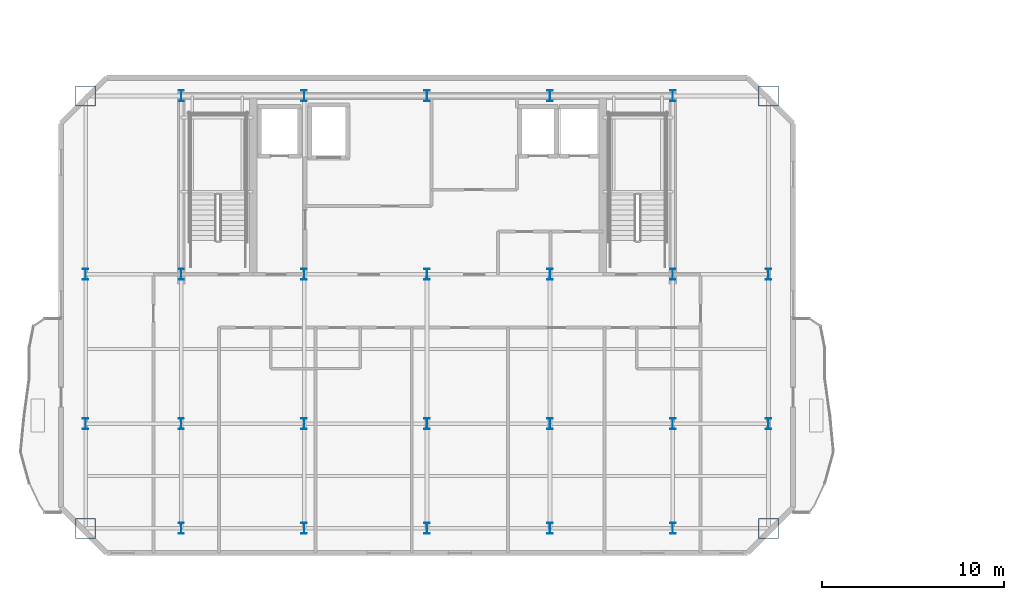
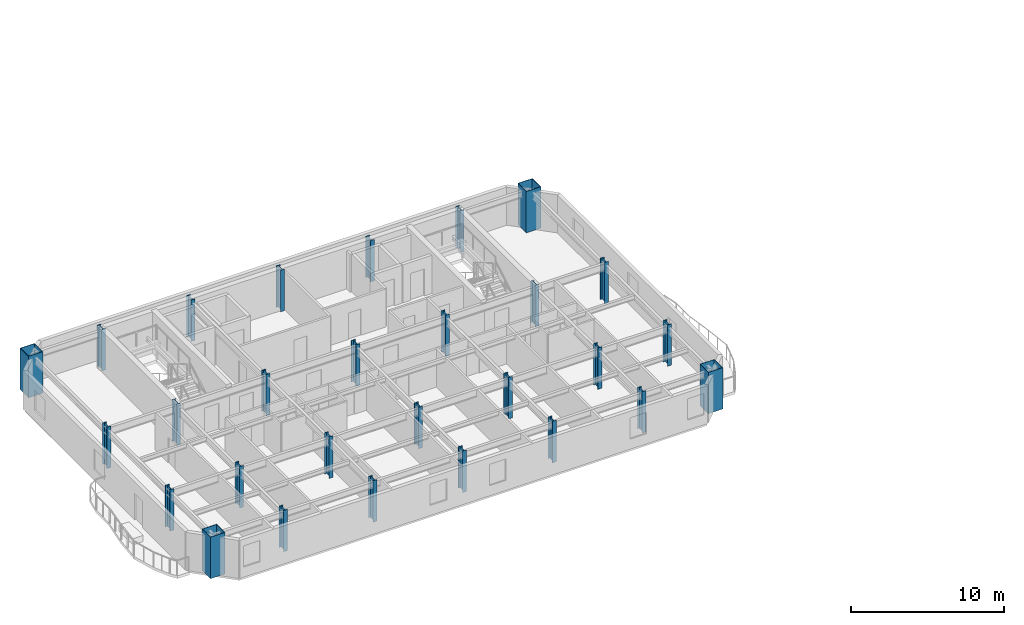
# One storey, part 1 of 14: 28 columns.
"""IFC4 building model written with IfcOpenShell, lengths in metres."""

from ifc_helpers import new_model, si_unit, direction, frame, origin, origin_2d, place, context, subcontext, project, spatial, hollow_rectangle, i_section, extrude, material, material_profile, profile_set, type_object, element, save


model = new_model("IFC4")

# Units and contexts
model_context = context("Model", 3, precision=1e-05, world=origin(), true_north=direction((0.0, 1.0)))
body_context = subcontext(model_context, "Body", "Model", "MODEL_VIEW")
ifc_project = project(units=[si_unit("LENGTHUNIT", "METRE"), si_unit("AREAUNIT", "SQUARE_METRE"), si_unit("VOLUMEUNIT", "CUBIC_METRE"), si_unit("PLANEANGLEUNIT", "RADIAN"), si_unit("MASSUNIT", "GRAM", prefix="KILO")], contexts=[model_context])

# Site, building, storey
site_placement = place(None, origin())
site = spatial("IfcSite", under=ifc_project, at=site_placement, CompositionType="ELEMENT")
building_placement = place(site_placement, origin())
building = spatial("IfcBuilding", under=site, at=building_placement, Name="Haevon Station Towers", CompositionType="ELEMENT")
storey_placement = place(building_placement, frame((0.0, 0.0, 231.89990234375)))
storey = spatial("IfcBuildingStorey", under=building, at=storey_placement, Name="L64", CompositionType="ELEMENT", Elevation=231.89990234375)

# Columns
ifc_material_1 = material(Name="Steel S460", Category="steel")
ifc_material_profile_1 = material_profile(ifc_material_1, hollow_rectangle(XDim=1.10009765625, YDim=1.10009765625, WallThickness=0.031982421875, at=origin_2d()), Name="BOX-1100x1100x32")
ifc_profile_set_1 = profile_set([ifc_material_profile_1], Name="Steel S460")
column_type_1 = type_object("IfcColumnType", Name="COL-MC5", PredefinedType="COLUMN", material=ifc_profile_set_1)
for number, where, z_axis, x_axis, name in (
    (1, (18.75, 24.25, 0.0), (0.0, 0.0, 1.0), (1.0, 0.0, 0.0), "COL-T1-L64-01-01"),
    (2, (18.75, 48.0, 0.0), (0.0, 0.0, 1.0), (1.0, 0.0, 0.0), "COL-T1-L64-01-04"),
    (3, (56.25, 24.25, 0.0), (0.0, 0.0, 1.0), (1.0, 0.0, 0.0), "COL-T1-L64-07-01"),
    (4, (56.25, 48.0, 0.0), (0.0, 0.0, 1.0), (1.0, 0.0, 0.0), "COL-T1-L64-07-04"),
):
    element("IfcColumn", number, at=place(storey_placement, frame(where, z_axis=z_axis, x_axis=x_axis)), inside=storey, type_object=column_type_1, Name=name, PredefinedType="COLUMN", context=body_context, shape_type="SweptSolid", body=[
        extrude(hollow_rectangle(XDim=1.10009765625, YDim=1.10009765625, WallThickness=0.031982421875, at=origin_2d()), origin(), (0.0, 0.0, 1.0), 3.300048828125),
    ])
ifc_material_2 = material(Name="Steel S355", Category="steel")
ifc_material_profile_2 = material_profile(ifc_material_2, i_section(OverallWidth=0.300048828125, OverallDepth=0.60009765625, WebThickness=0.013916015625, FlangeThickness=0.02490234375, at=origin_2d()), Name="H-600x300x14x25")
ifc_profile_set_2 = profile_set([ifc_material_profile_2], Name="Steel S355")
column_type_2 = type_object("IfcColumnType", Name="COL-TW4", PredefinedType="COLUMN", material=ifc_profile_set_2)
for number, where, z_axis, x_axis, name in (
    (5, (18.75, 30.0, 0.0), (0.0, 0.0, 1.0), (1.0, 0.0, 0.0), "COL-T1-L64-01-02"),
    (6, (18.75, 38.199951171875, 0.0), (0.0, 0.0, 1.0), (1.0, 0.0, 0.0), "COL-T1-L64-01-03"),
    (7, (24.0, 24.25, 0.0), (0.0, 0.0, 1.0), (1.0, 0.0, 0.0), "COL-T1-L64-02-01"),
    (8, (24.0, 30.0, 0.0), (0.0, 0.0, 1.0), (1.0, 0.0, 0.0), "COL-T1-L64-02-02"),
    (9, (24.0, 38.199951171875, 0.0), (0.0, 0.0, 1.0), (1.0, 0.0, 0.0), "COL-T1-L64-02-03"),
    (10, (24.0, 48.0, 0.0), (0.0, 0.0, 1.0), (1.0, 0.0, 0.0), "COL-T1-L64-02-04"),
    (11, (30.75, 24.25, 0.0), (0.0, 0.0, 1.0), (1.0, 0.0, 0.0), "COL-T1-L64-03-01"),
    (12, (30.75, 30.0, 0.0), (0.0, 0.0, 1.0), (1.0, 0.0, 0.0), "COL-T1-L64-03-02"),
    (13, (30.75, 38.199951171875, 0.0), (0.0, 0.0, 1.0), (1.0, 0.0, 0.0), "COL-T1-L64-03-03"),
    (14, (30.75, 48.0, 0.0), (0.0, 0.0, 1.0), (1.0, 0.0, 0.0), "COL-T1-L64-03-04"),
    (15, (37.5, 24.25, 0.0), (0.0, 0.0, 1.0), (1.0, 0.0, 0.0), "COL-T1-L64-04-01"),
    (16, (37.5, 30.0, 0.0), (0.0, 0.0, 1.0), (1.0, 0.0, 0.0), "COL-T1-L64-04-02"),
    (17, (37.5, 38.199951171875, 0.0), (0.0, 0.0, 1.0), (1.0, 0.0, 0.0), "COL-T1-L64-04-03"),
    (18, (37.5, 48.0, 0.0), (0.0, 0.0, 1.0), (1.0, 0.0, 0.0), "COL-T1-L64-04-04"),
    (19, (44.25, 24.25, 0.0), (0.0, 0.0, 1.0), (1.0, 0.0, 0.0), "COL-T1-L64-05-01"),
    (20, (44.25, 30.0, 0.0), (0.0, 0.0, 1.0), (1.0, 0.0, 0.0), "COL-T1-L64-05-02"),
    (21, (44.25, 38.199951171875, 0.0), (0.0, 0.0, 1.0), (1.0, 0.0, 0.0), "COL-T1-L64-05-03"),
    (22, (44.25, 48.0, 0.0), (0.0, 0.0, 1.0), (1.0, 0.0, 0.0), "COL-T1-L64-05-04"),
    (23, (51.0, 24.25, 0.0), (0.0, 0.0, 1.0), (1.0, 0.0, 0.0), "COL-T1-L64-06-01"),
    (24, (51.0, 30.0, 0.0), (0.0, 0.0, 1.0), (1.0, 0.0, 0.0), "COL-T1-L64-06-02"),
    (25, (51.0, 38.199951171875, 0.0), (0.0, 0.0, 1.0), (1.0, 0.0, 0.0), "COL-T1-L64-06-03"),
    (26, (51.0, 48.0, 0.0), (0.0, 0.0, 1.0), (1.0, 0.0, 0.0), "COL-T1-L64-06-04"),
    (27, (56.25, 30.0, 0.0), (0.0, 0.0, 1.0), (1.0, 0.0, 0.0), "COL-T1-L64-07-02"),
    (28, (56.25, 38.199951171875, 0.0), (0.0, 0.0, 1.0), (1.0, 0.0, 0.0), "COL-T1-L64-07-03"),
):
    element("IfcColumn", number, at=place(storey_placement, frame(where, z_axis=z_axis, x_axis=x_axis)), inside=storey, type_object=column_type_2, Name=name, PredefinedType="COLUMN", context=body_context, shape_type="SweptSolid", body=[
        extrude(i_section(OverallWidth=0.300048828125, OverallDepth=0.60009765625, WebThickness=0.013916015625, FlangeThickness=0.02490234375, at=origin_2d()), origin(), (0.0, 0.0, 1.0), 3.300048828125),
    ])

save(model, "model.ifc")
